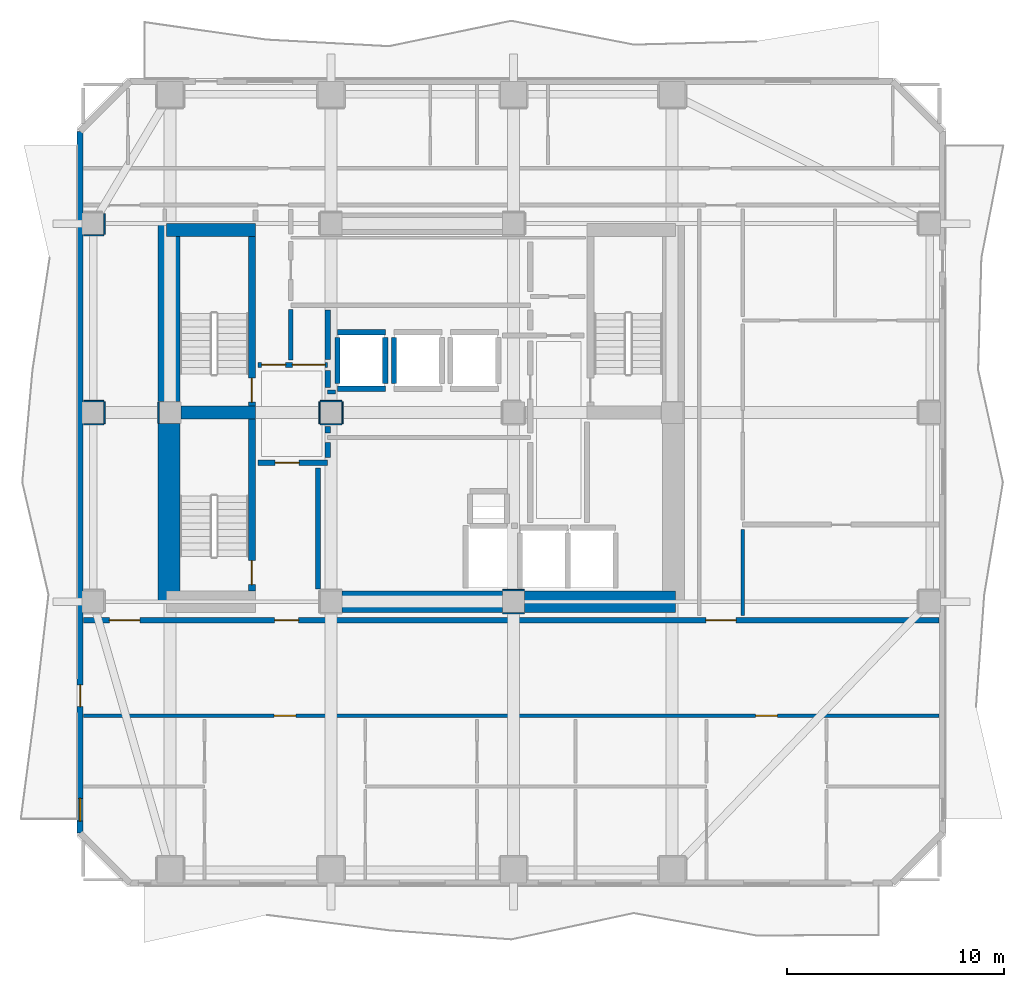
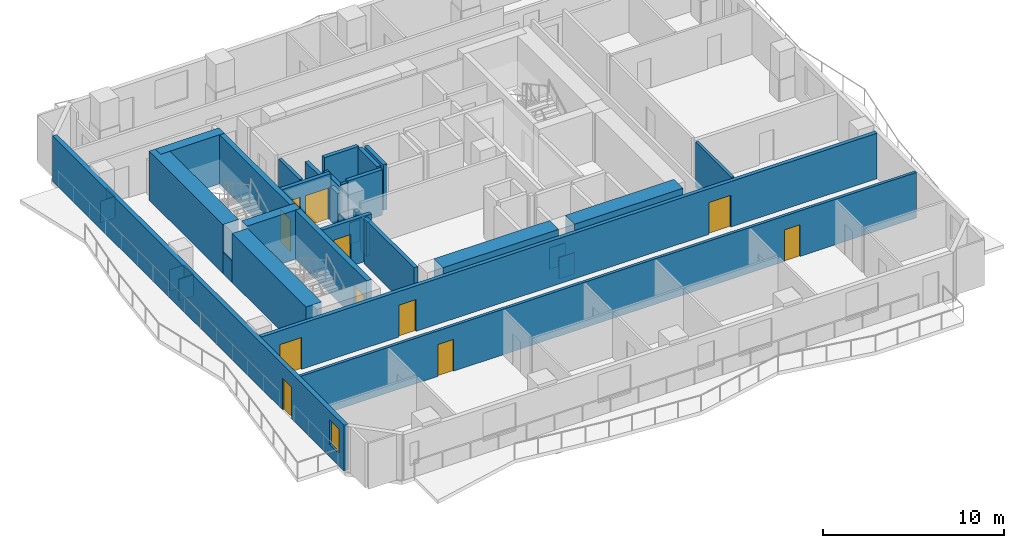
# One storey, part 3 of 9: 38 walls, 11 doors, 1 window, 12 openings.
"""IFC4 building model written with IfcOpenShell, lengths in metres."""

from ifc_helpers import new_model, si_unit, direction, frame, frame_2d, origin, place, context, subcontext, project, spatial, rectangle, extrude, material, layer, layer_set, type_object, element, fill, save


model = new_model("IFC4")

# Units and contexts
model_context = context("Model", 3, precision=1e-05, world=origin(), true_north=direction((0.0, 1.0)))
body_context = subcontext(model_context, "Body", "Model", "MODEL_VIEW")
ifc_project = project(units=[si_unit("LENGTHUNIT", "METRE"), si_unit("AREAUNIT", "SQUARE_METRE"), si_unit("VOLUMEUNIT", "CUBIC_METRE"), si_unit("PLANEANGLEUNIT", "RADIAN"), si_unit("MASSUNIT", "GRAM", prefix="KILO")], contexts=[model_context])

# Site, building, storey
site_placement = place(None, origin())
site = spatial("IfcSite", under=ifc_project, at=site_placement, CompositionType="ELEMENT")
building_placement = place(site_placement, origin())
building = spatial("IfcBuilding", under=site, at=building_placement, Name="Solanera Arch Residences", CompositionType="ELEMENT")
storey_placement = place(building_placement, frame((0.0, 0.0, 132.639892578125)))
storey = spatial("IfcBuildingStorey", under=building, at=storey_placement, Name="L38", CompositionType="ELEMENT", Elevation=132.639892578125)

# Walls
ifc_material_1 = material(Name="Fire-Rated Gypsum Stud Partition", Category="gypsum")
ifc_layer_1 = layer(ifc_material_1, 0.06005859375)
ifc_layer_set_1 = layer_set([ifc_layer_1], Name="Fire-Rated Gypsum Stud Partition")
wall_type_1 = type_object("IfcWallType", Name="Column Acoustic Furring Wall 60", PredefinedType="PARTITIONING", material=ifc_layer_set_1)
for number, where, z_axis, x_axis, name in (
    (1, (28.699951171875, 21.468017578125, 0.0), (0.0, 0.0, 1.0), (1.0, 0.0, 0.0), "L38 Column Furring 2S"),
    (2, (28.699951171875, 22.531982421875, 0.0), (0.0, 0.0, 1.0), (1.0, 0.0, 0.0), "L38 Column Furring 2N"),
):
    element("IfcWall", number, at=place(storey_placement, frame(where, z_axis=z_axis, x_axis=x_axis)), inside=storey, type_object=wall_type_1, Name=name, PredefinedType="PARTITIONING", context=body_context, shape_type="SweptSolid", body=[
        extrude(rectangle(XDim=1.0, YDim=0.06005859375, at=frame_2d((0.5, 0.0))), origin(), (0.0, 0.0, 1.0), 1.4501953125),
    ])
wall_1_placement = place(storey_placement, frame((12.867919921875, 30.2099609375, 0.0), z_axis=(0.0, 0.0, 1.0), x_axis=(0.0, 1.0, 0.0)))
element("IfcWall", 3, at=wall_1_placement, inside=storey, type_object=wall_type_1, Name="L38 Column Furring 5W", PredefinedType="PARTITIONING", context=body_context, shape_type="SweptSolid", body=[
    extrude(rectangle(XDim=0.97998046875, YDim=0.06005859375, at=frame_2d((0.489990234375, 0.0))), origin(), (0.0, 0.0, 1.0), 1.4501953125),
])
for number, where, z_axis, x_axis, name in (
    (4, (20.300048828125, 30.16796875, 0.0), (0.0, 0.0, 1.0), (1.0, 0.0, 0.0), "L38 Column Furring 7S"),
    (5, (20.300048828125, 31.23193359375, 0.0), (0.0, 0.0, 1.0), (1.0, 0.0, 0.0), "L38 Column Furring 7N"),
    (6, (20.26806640625, 30.199951171875, 0.0), (0.0, 0.0, 1.0), (0.0, 1.0, 0.0), "L38 Column Furring 7W"),
    (7, (21.33203125, 30.199951171875, 0.0), (0.0, 0.0, 1.0), (0.0, 1.0, 0.0), "L38 Column Furring 7E"),
):
    element("IfcWall", number, at=place(storey_placement, frame(where, z_axis=z_axis, x_axis=x_axis)), inside=storey, type_object=wall_type_1, Name=name, PredefinedType="PARTITIONING", context=body_context, shape_type="SweptSolid", body=[
        extrude(rectangle(XDim=1.0, YDim=0.06005859375, at=frame_2d((0.5, 0.0))), origin(), (0.0, 0.0, 1.0), 1.4501953125),
    ])
for number, where, z_axis, x_axis, name in (
    (8, (9.409912109375, 30.16796875, 0.0), (0.0, 0.0, 1.0), (1.0, 0.0, 0.0), "L38 Column Furring 19S"),
    (9, (9.409912109375, 31.23193359375, 0.0), (0.0, 0.0, 1.0), (1.0, 0.0, 0.0), "L38 Column Furring 19N"),
):
    element("IfcWall", number, at=place(storey_placement, frame(where, z_axis=z_axis, x_axis=x_axis)), inside=storey, type_object=wall_type_1, Name=name, PredefinedType="PARTITIONING", context=body_context, shape_type="SweptSolid", body=[
        extrude(rectangle(XDim=0.940185546875, YDim=0.06005859375, at=frame_2d((0.47021484375, 0.0))), origin(), (0.0, 0.0, 1.0), 1.4501953125),
    ])
wall_2_placement = place(storey_placement, frame((10.382080078125, 30.199951171875, 0.0), z_axis=(0.0, 0.0, 1.0), x_axis=(0.0, 1.0, 0.0)))
element("IfcWall", 10, at=wall_2_placement, inside=storey, type_object=wall_type_1, Name="L38 Column Furring 19E", PredefinedType="PARTITIONING", context=body_context, shape_type="SweptSolid", body=[
    extrude(rectangle(XDim=1.0, YDim=0.06005859375, at=frame_2d((0.5, 0.0))), origin(), (0.0, 0.0, 1.0), 1.4501953125),
])
wall_3_placement = place(storey_placement, frame((9.409912109375, 38.867919921875, 0.0), z_axis=(0.0, 0.0, 1.0), x_axis=(1.0, 0.0, 0.0)))
element("IfcWall", 11, at=wall_3_placement, inside=storey, type_object=wall_type_1, Name="L38 Column Furring 21S", PredefinedType="PARTITIONING", context=body_context, shape_type="SweptSolid", body=[
    extrude(rectangle(XDim=0.940185546875, YDim=0.06005859375, at=frame_2d((0.47021484375, 0.0))), origin(), (0.0, 0.0, 1.0), 1.4501953125),
])
wall_4_placement = place(storey_placement, frame((10.382080078125, 38.89990234375, 0.0), z_axis=(0.0, 0.0, 1.0), x_axis=(0.0, 1.0, 0.0)))
element("IfcWall", 12, at=wall_4_placement, inside=storey, type_object=wall_type_1, Name="L38 Column Furring 21E", PredefinedType="PARTITIONING", context=body_context, shape_type="SweptSolid", body=[
    extrude(rectangle(XDim=0.9560546875, YDim=0.06005859375, at=frame_2d((0.47802734375, 0.0))), origin(), (0.0, 0.0, 1.0), 1.4501953125),
])
ifc_material_2 = material(Name="Concrete C55/67 (f'c = 60 MPa)", Category="concrete")
ifc_layer_2 = layer(ifc_material_2, 1.0)
ifc_layer_set_2 = layer_set([ifc_layer_2], Name="Concrete C55/67 (f'c = 60 MPa)")
wall_type_2 = type_object("IfcWallType", Name="Core Shear Wall CW-1000", PredefinedType="SHEAR", material=ifc_layer_set_2)
wall_5_placement = place(storey_placement, frame((13.340087890625, 22.0, 0.0), z_axis=(0.0, 0.0, 1.0), x_axis=(0.0, 1.0, 0.0)))
element("IfcWall", 13, at=wall_5_placement, inside=storey, type_object=wall_type_2, Name="L38 West Core South Shear Wall", PredefinedType="SHEAR", context=body_context, shape_type="SweptSolid", body=[
    extrude(rectangle(XDim=8.195068359375, YDim=1.0, at=frame_2d((4.09765625, 0.0))), origin(), (0.0, 0.0, 1.0), 3.320068359375),
])
wall_6_placement = place(storey_placement, frame((13.340087890625, 31.205078125, 0.0), z_axis=(0.0, 0.0, 1.0), x_axis=(0.0, 1.0, 0.0)))
element("IfcWall", 14, at=wall_6_placement, inside=storey, type_object=wall_type_2, Name="L38 West Core North Shear Wall", PredefinedType="SHEAR", context=body_context, shape_type="SweptSolid", body=[
    extrude(rectangle(XDim=8.19482421875, YDim=1.0, at=frame_2d((4.097412109375, 0.0))), origin(), (0.0, 0.0, 1.0), 3.320068359375),
])
wall_7_placement = place(storey_placement, frame((29.705078125, 22.0, 0.0), z_axis=(0.0, 0.0, 1.0), x_axis=(1.0, 0.0, 0.0)))
element("IfcWall", 15, at=wall_7_placement, inside=storey, type_object=wall_type_2, Name="L38 South-East Core Shear Wall", PredefinedType="SHEAR", context=body_context, shape_type="SweptSolid", body=[
    extrude(rectangle(XDim=6.954833984375, YDim=1.0, at=frame_2d((3.4775390625, 0.0))), origin(), (0.0, 0.0, 1.0), 3.320068359375),
])
wall_8_placement = place(storey_placement, frame((21.304931640625, 22.0, 0.0), z_axis=(0.0, 0.0, 1.0), x_axis=(1.0, 0.0, 0.0)))
element("IfcWall", 16, at=wall_8_placement, inside=storey, type_object=wall_type_2, Name="L38 Central South Core Shear Wall", PredefinedType="SHEAR", context=body_context, shape_type="SweptSolid", body=[
    extrude(rectangle(XDim=7.39013671875, YDim=1.0, at=frame_2d((3.695068359375, 0.0))), origin(), (0.0, 0.0, 1.0), 3.320068359375),
])

# Wall, opening, door
ifc_material_3 = material(Name="Concrete C40/50 (f'c = 45 MPa)", Category="concrete")
ifc_layer_3 = layer(ifc_material_3, 0.320068359375)
ifc_layer_set_3 = layer_set([ifc_layer_3], Name="Concrete C40/50 (f'c = 45 MPa)")
wall_type_3 = type_object("IfcWallType", Name="Core Shear Wall CW-320", PredefinedType="SHEAR", material=ifc_layer_set_3)
wall_9_placement = place(storey_placement, frame((17.159912109375, 31.0, 0.0), z_axis=(0.0, 0.0, 1.0), x_axis=(0.0, 1.0, 0.0)))
wall_9 = element("IfcWall", 17, at=wall_9_placement, inside=storey, type_object=wall_type_3, Name="L38 Stair ST-T1 East Shear Wall", PredefinedType="SHEAR", context=body_context, shape_type="SweptSolid", body=[
    extrude(rectangle(XDim=7.800048828125, YDim=0.320068359375, at=frame_2d((3.89990234375, 0.0))), origin(), (0.0, 0.0, 1.0), 3.320068359375),
])
opening_1_placement = place(wall_9_placement, frame((0.18994140625, 0.0, 0.0)))
opening_1 = element("IfcOpeningElement", 18, at=opening_1_placement, cuts=wall_9, Name="Opening DF-01", PredefinedType="OPENING", context=body_context, shape_type="SweptSolid", body=[
    extrude(rectangle(XDim=1.10009765625, YDim=2.14990234375, at=frame_2d((0.550048828125, 1.074951171875))), frame((0.0, 0.169921875, 0.0), z_axis=(0.0, -1.0, 0.0), x_axis=(1.0, 0.0, 0.0)), (0.0, 0.0, 1.0), 0.3401),
])
ifc_material_4 = material(Name="Fire-Rated Architectural Hardwood", Category="wood")
door_type_1 = type_object("IfcDoorType", Name="Stair Exit Fire Door DF-01", OperationType="NOTDEFINED", PredefinedType="DOOR", material=ifc_material_4)
door_1_placement = place(opening_1_placement, origin())
door_1 = element("IfcDoor", 19, at=door_1_placement, inside=storey, type_object=door_type_1, Name="DR-L38-STAIR-ST-T1", OperationType="SINGLE_SWING_RIGHT", OverallHeight=2.14990234375, OverallWidth=1.10009765625, PredefinedType="DOOR", context=body_context, shape_type="SweptSolid", body=[
    extrude(rectangle(XDim=1.10009765625, YDim=2.14990234375, at=frame_2d((0.550048828125, 1.074951171875))), frame((0.0, 0.02490234375, 0.0), z_axis=(0.0, -1.0, 0.0), x_axis=(1.0, 0.0, 0.0)), (0.0, 0.0, 1.0), 0.050048828125),
])
fill(opening_1, door_1)

wall_10_placement = place(storey_placement, frame((17.159912109375, 22.5, 0.0), z_axis=(0.0, 0.0, 1.0), x_axis=(0.0, 1.0, 0.0)))
wall_10 = element("IfcWall", 20, at=wall_10_placement, inside=storey, type_object=wall_type_3, Name="L38 Stair ST-T3 East Shear Wall", PredefinedType="SHEAR", context=body_context, shape_type="SweptSolid", body=[
    extrude(rectangle(XDim=7.89990234375, YDim=0.320068359375, at=frame_2d((3.949951171875, 0.0))), origin(), (0.0, 0.0, 1.0), 3.320068359375),
])
opening_2_placement = place(wall_10_placement, frame((0.2900390625, 0.0, 0.0)))
opening_2 = element("IfcOpeningElement", 21, at=opening_2_placement, cuts=wall_10, Name="Opening DF-01", PredefinedType="OPENING", context=body_context, shape_type="SweptSolid", body=[
    extrude(rectangle(XDim=1.10009765625, YDim=2.14990234375, at=frame_2d((0.550048828125, 1.074951171875))), frame((0.0, 0.169921875, 0.0), z_axis=(0.0, -1.0, 0.0), x_axis=(1.0, 0.0, 0.0)), (0.0, 0.0, 1.0), 0.3401),
])
door_2_placement = place(opening_2_placement, origin())
door_2 = element("IfcDoor", 22, at=door_2_placement, inside=storey, type_object=door_type_1, Name="DR-L38-STAIR-ST-T3", OperationType="SINGLE_SWING_RIGHT", OverallHeight=2.14990234375, OverallWidth=1.10009765625, PredefinedType="DOOR", context=body_context, shape_type="SweptSolid", body=[
    extrude(rectangle(XDim=1.10009765625, YDim=2.14990234375, at=frame_2d((0.550048828125, 1.074951171875))), frame((0.0, 0.02490234375, 0.0), z_axis=(0.0, -1.0, 0.0), x_axis=(1.0, 0.0, 0.0)), (0.0, 0.0, 1.0), 0.050048828125),
])
fill(opening_2, door_2)

# Walls
ifc_material_5 = material(Name="Concrete C40/50 (f'c = 45 MPa)", Category="concrete")
ifc_layer_4 = layer(ifc_material_5, 0.60009765625)
ifc_layer_set_4 = layer_set([ifc_layer_4], Name="Concrete C40/50 (f'c = 45 MPa)")
wall_type_4 = type_object("IfcWallType", Name="Core Shear Wall CW-600", PredefinedType="SHEAR", material=ifc_layer_set_4)
wall_11_placement = place(storey_placement, frame((13.239990234375, 39.10009765625, 0.0), z_axis=(0.0, 0.0, 1.0), x_axis=(1.0, 0.0, 0.0)))
element("IfcWall", 23, at=wall_11_placement, inside=storey, type_object=wall_type_4, Name="L38 North-West Core Shear Wall", PredefinedType="SHEAR", context=body_context, shape_type="SweptSolid", body=[
    extrude(rectangle(XDim=4.080078125, YDim=0.60009765625, at=frame_2d((2.0400390625, 0.0))), origin(), (0.0, 0.0, 1.0), 3.320068359375),
])
wall_12_placement = place(storey_placement, frame((13.905029296875, 30.699951171875, 0.0), z_axis=(0.0, 0.0, 1.0), x_axis=(1.0, 0.0, 0.0)))
element("IfcWall", 24, at=wall_12_placement, inside=storey, type_object=wall_type_4, Name="L38 West Stair Divider Shear Wall", PredefinedType="SHEAR", context=body_context, shape_type="SweptSolid", body=[
    extrude(rectangle(XDim=3.4150390625, YDim=0.60009765625, at=frame_2d((1.70751953125, 0.0))), origin(), (0.0, 0.0, 1.0), 3.320068359375),
])

# Wall, openings, doors
ifc_material_6 = material(Name="Autoclaved Aerated Concrete Blockwork", Category="masonry")
ifc_layer_5 = layer(ifc_material_6, 0.179931640625)
ifc_layer_set_5 = layer_set([ifc_layer_5], Name="Autoclaved Aerated Concrete Blockwork")
wall_type_5 = type_object("IfcWallType", Name="Corridor Fire Partition 180", PredefinedType="PARTITIONING", material=ifc_layer_set_5)
wall_13_placement = place(storey_placement, frame((9.406982421875, 16.75, 0.0), z_axis=(0.0, 0.0, 1.0), x_axis=(1.0, 0.0, 0.0)))
wall_13 = element("IfcWall", 25, at=wall_13_placement, inside=storey, type_object=wall_type_5, Name="L38 Interior Partition H8", PredefinedType="PARTITIONING", context=body_context, shape_type="SweptSolid", body=[
    extrude(rectangle(XDim=39.385986328125, YDim=0.179931640625, at=frame_2d((19.69287109375, 0.0))), origin(), (0.0, 0.0, 1.0), 3.080078125),
])
opening_3_placement = place(wall_13_placement, frame((8.77294921875, 0.0, 0.0)))
opening_3 = element("IfcOpeningElement", 26, at=opening_3_placement, cuts=wall_13, Name="Opening DI-01", PredefinedType="OPENING", context=body_context, shape_type="SweptSolid", body=[
    extrude(rectangle(XDim=1.0, YDim=2.14990234375, at=frame_2d((0.5, 1.074951171875))), frame((0.0, 0.10009765625, 0.0), z_axis=(0.0, -1.0, 0.0), x_axis=(1.0, 0.0, 0.0)), (0.0, 0.0, 1.0), 0.1999),
])
opening_4_placement = place(wall_13_placement, frame((30.93603515625, 0.0, 0.0)))
opening_4 = element("IfcOpeningElement", 27, at=opening_4_placement, cuts=wall_13, Name="Opening DI-01", PredefinedType="OPENING", context=body_context, shape_type="SweptSolid", body=[
    extrude(rectangle(XDim=1.0, YDim=2.14990234375, at=frame_2d((0.5, 1.074951171875))), frame((0.0, 0.10009765625, 0.0), z_axis=(0.0, -1.0, 0.0), x_axis=(1.0, 0.0, 0.0)), (0.0, 0.0, 1.0), 0.1999),
])
ifc_material_7 = material(Name="Fire-Rated Architectural Hardwood", Category="wood")
door_type_2 = type_object("IfcDoorType", Name="Unit Entrance Fire Door DI-01", OperationType="NOTDEFINED", PredefinedType="DOOR", material=ifc_material_7)
door_3_placement = place(opening_3_placement, origin())
door_3 = element("IfcDoor", 28, at=door_3_placement, inside=storey, type_object=door_type_2, Name="DR-L38-IN-017", OperationType="SINGLE_SWING_RIGHT", OverallHeight=2.14990234375, OverallWidth=1.0, PredefinedType="DOOR", context=body_context, shape_type="SweptSolid", body=[
    extrude(rectangle(XDim=1.0, YDim=2.14990234375, at=frame_2d((0.5, 1.074951171875))), frame((0.0, 0.02490234375, 0.0), z_axis=(0.0, -1.0, 0.0), x_axis=(1.0, 0.0, 0.0)), (0.0, 0.0, 1.0), 0.050048828125),
])
fill(opening_3, door_3)
door_4_placement = place(opening_4_placement, origin())
door_4 = element("IfcDoor", 29, at=door_4_placement, inside=storey, type_object=door_type_2, Name="DR-L38-IN-024", OperationType="SINGLE_SWING_LEFT", OverallHeight=2.14990234375, OverallWidth=1.0, PredefinedType="DOOR", context=body_context, shape_type="SweptSolid", body=[
    extrude(rectangle(XDim=1.0, YDim=2.14990234375, at=frame_2d((0.5, 1.074951171875))), frame((0.0, 0.02490234375, 0.0), z_axis=(0.0, -1.0, 0.0), x_axis=(1.0, 0.0, 0.0)), (0.0, 0.0, 1.0), 0.050048828125),
])
fill(opening_4, door_4)

# Walls
wall_14_placement = place(storey_placement, frame((20.64990234375, 31.64990234375, 0.0), z_axis=(0.0, 0.0, 1.0), x_axis=(1.0, 0.0, 0.0)))
element("IfcWall", 30, at=wall_14_placement, inside=storey, type_object=wall_type_5, Name="L38 Interior Partition H10", PredefinedType="PARTITIONING", context=body_context, shape_type="SweptSolid", body=[
    extrude(rectangle(XDim=0.357177734375, YDim=0.179931640625, at=frame_2d((0.1787109375, 0.0))), origin(), (0.0, 0.0, 1.0), 3.080078125),
])
wall_15_placement = place(storey_placement, frame((39.75, 21.367919921875, 0.0), z_axis=(0.0, 0.0, 1.0), x_axis=(0.0, 1.0, 0.0)))
element("IfcWall", 31, at=wall_15_placement, inside=storey, type_object=wall_type_5, Name="L38 Interior Partition V11 1", PredefinedType="PARTITIONING", context=body_context, shape_type="SweptSolid", body=[
    extrude(rectangle(XDim=3.964111328125, YDim=0.179931640625, at=frame_2d((1.98193359375, 0.0))), origin(), (0.0, 0.0, 1.0), 3.080078125),
])

# Wall, openings, door, window
ifc_material_8 = material(Name="Precast Concrete C35/45", Category="concrete")
ifc_layer_6 = layer(ifc_material_8, 0.280029296875)
ifc_layer_set_6 = layer_set([ifc_layer_6], Name="Precast Concrete C35/45")
wall_type_6 = type_object("IfcWallType", Name="Exterior Wall Precast Masonry-Frame 280", PredefinedType="STANDARD", material=ifc_layer_set_6)
wall_16_placement = place(storey_placement, frame((9.2548828125, 11.35498046875, 0.0), z_axis=(0.0, 0.0, 1.0), x_axis=(0.0, 1.0, 0.0)))
wall_16 = element("IfcWall", 32, at=wall_16_placement, inside=storey, type_object=wall_type_6, Name="L38 Tower Exterior Precast Masonry-Frame Wall W", PredefinedType="STANDARD", context=body_context, shape_type="SweptSolid", body=[
    extrude(rectangle(XDim=32.2900390625, YDim=0.280029296875, at=frame_2d((16.14501953125, 0.0))), origin(), (0.0, 0.0, 1.0), 3.080078125),
])
opening_5_placement = place(wall_16_placement, frame((5.818115234375, 0.0, 0.0)))
opening_5 = element("IfcOpeningElement", 33, at=opening_5_placement, cuts=wall_16, Name="Opening DB-01", PredefinedType="OPENING", context=body_context, shape_type="SweptSolid", body=[
    extrude(rectangle(XDim=1.0, YDim=2.14990234375, at=frame_2d((0.5, 1.074951171875))), frame((0.0, 0.14990234375, 0.0), z_axis=(0.0, -1.0, 0.0), x_axis=(1.0, 0.0, 0.0)), (0.0, 0.0, 1.0), 0.3),
])
opening_6_placement = place(wall_16_placement, frame((0.5439453125, 0.0, 0.85009765625)))
opening_6 = element("IfcOpeningElement", 34, at=opening_6_placement, cuts=wall_16, Name="Opening W-07", PredefinedType="OPENING", context=body_context, shape_type="SweptSolid", body=[
    extrude(rectangle(XDim=1.050048828125, YDim=1.64990234375, at=frame_2d((0.52490234375, 0.824951171875))), frame((0.0, 0.14990234375, 0.0), z_axis=(0.0, -1.0, 0.0), x_axis=(1.0, 0.0, 0.0)), (0.0, 0.0, 1.0), 0.3),
])
ifc_material_9 = material(Name="Anodised Aluminium Alloy 6063-T6", Category="aluminium")
door_type_3 = type_object("IfcDoorType", Name="Glazed Balcony Swing Door DB-01", OperationType="NOTDEFINED", PredefinedType="DOOR", material=ifc_material_9)
door_5_placement = place(opening_5_placement, origin())
door_5 = element("IfcDoor", 35, at=door_5_placement, inside=storey, type_object=door_type_3, Name="DR-L38-OUT-04", OperationType="SINGLE_SWING_LEFT", OverallHeight=2.14990234375, OverallWidth=1.0, PredefinedType="DOOR", context=body_context, shape_type="SweptSolid", body=[
    extrude(rectangle(XDim=1.0, YDim=2.14990234375, at=frame_2d((0.5, 1.074951171875))), frame((0.0, 0.02490234375, 0.0), z_axis=(0.0, -1.0, 0.0), x_axis=(1.0, 0.0, 0.0)), (0.0, 0.0, 1.0), 0.050048828125),
])
fill(opening_5, door_5)
ifc_material_10 = material(Name="Double Glazed Low-E Laminated Glass", Category="glass")
window_type = type_object("IfcWindowType", Name="Punched Window W-07", PartitioningType="SINGLE_PANEL", PredefinedType="WINDOW", material=ifc_material_10)
window_placement = place(opening_6_placement, origin())
window = element("IfcWindow", 36, at=window_placement, inside=storey, type_object=window_type, Name="L38 3801-BR1 Punched Window", OverallHeight=1.64990234375, OverallWidth=1.050048828125, PartitioningType="SINGLE_PANEL", PredefinedType="WINDOW", context=body_context, shape_type="SweptSolid", body=[
    extrude(rectangle(XDim=1.050048828125, YDim=1.64990234375, at=frame_2d((0.52490234375, 0.824951171875))), frame((0.0, 0.030029296875, 0.0), z_axis=(0.0, -1.0, 0.0), x_axis=(1.0, 0.0, 0.0)), (0.0, 0.0, 1.0), 0.06005859375),
])
fill(opening_6, window)

# Walls
ifc_material_11 = material(Name="Autoclaved Aerated Concrete Blockwork", Category="masonry")
ifc_layer_7 = layer(ifc_material_11, 0.199951171875)
ifc_layer_set_7 = layer_set([ifc_layer_7], Name="Autoclaved Aerated Concrete Blockwork")
wall_type_7 = type_object("IfcWallType", Name="Party Wall Acoustic 200", PredefinedType="PARTITIONING", material=ifc_layer_set_7)
wall_17_placement = place(storey_placement, frame((18.949951171875, 33.1279296875, 0.0), z_axis=(0.0, 0.0, 1.0), x_axis=(0.0, 1.0, 0.0)))
element("IfcWall", 37, at=wall_17_placement, inside=storey, type_object=wall_type_7, Name="L38 Interior Partition V6 1", PredefinedType="PARTITIONING", context=body_context, shape_type="SweptSolid", body=[
    extrude(rectangle(XDim=2.31396484375, YDim=0.199951171875, at=frame_2d((1.156982421875, 0.0))), origin(), (0.0, 0.0, 1.0), 3.080078125),
])
ifc_material_12 = material(Name="Autoclaved Aerated Concrete Blockwork", Category="masonry")
ifc_layer_8 = layer(ifc_material_12, 0.239990234375)
ifc_layer_set_8 = layer_set([ifc_layer_8], Name="Autoclaved Aerated Concrete Blockwork")
wall_type_8 = type_object("IfcWallType", Name="Shaft Wall Fire-Rated 240", PredefinedType="PARTITIONING", material=ifc_layer_set_8)
for number, where, z_axis, x_axis, name in (
    (38, (21.10009765625, 31.800048828125, 0.0), (0.0, 0.0, 1.0), (1.0, 0.0, 0.0), "L38 Lift PL-M1 Hoistway Wall S"),
    (39, (21.10009765625, 34.39990234375, 0.0), (0.0, 0.0, 1.0), (1.0, 0.0, 0.0), "L38 Lift PL-M1 Hoistway Wall N"),
):
    element("IfcWall", number, at=place(storey_placement, frame(where, z_axis=z_axis, x_axis=x_axis)), inside=storey, type_object=wall_type_8, Name=name, PredefinedType="PARTITIONING", context=body_context, shape_type="SweptSolid", body=[
        extrude(rectangle(XDim=2.199951171875, YDim=0.239990234375, at=frame_2d((1.10009765625, 0.0))), origin(), (0.0, 0.0, 1.0), 3.080078125),
    ])
wall_18_placement = place(storey_placement, frame((21.10009765625, 32.048095703125, 0.0), z_axis=(0.0, 0.0, 1.0), x_axis=(0.0, 1.0, 0.0)))
element("IfcWall", 40, at=wall_18_placement, inside=storey, type_object=wall_type_8, Name="L38 Lift PL-M1 Hoistway Wall W", PredefinedType="PARTITIONING", context=body_context, shape_type="SweptSolid", body=[
    extrude(rectangle(XDim=2.10400390625, YDim=0.239990234375, at=frame_2d((1.052001953125, 0.0))), origin(), (0.0, 0.0, 1.0), 2.315185546875),
])
for number, where, z_axis, x_axis, name in (
    (41, (23.300048828125, 32.048095703125, 0.0), (0.0, 0.0, 1.0), (0.0, 1.0, 0.0), "L38 Lift PL-M1 Hoistway Wall E"),
    (42, (23.699951171875, 32.048095703125, 0.0), (0.0, 0.0, 1.0), (0.0, 1.0, 0.0), "L38 Lift PL-M2 Hoistway Wall W"),
):
    element("IfcWall", number, at=place(storey_placement, frame(where, z_axis=z_axis, x_axis=x_axis)), inside=storey, type_object=wall_type_8, Name=name, PredefinedType="PARTITIONING", context=body_context, shape_type="SweptSolid", body=[
        extrude(rectangle(XDim=2.10400390625, YDim=0.239990234375, at=frame_2d((1.052001953125, 0.0))), origin(), (0.0, 0.0, 1.0), 3.080078125),
    ])

# Wall, openings, doors
wall_19_placement = place(storey_placement, frame((9.406982421875, 21.14990234375, 0.0), z_axis=(0.0, 0.0, 1.0), x_axis=(1.0, 0.0, 0.0)))
wall_19 = element("IfcWall", 43, at=wall_19_placement, inside=storey, type_object=wall_type_8, Name="L38 Interior Partition H1", PredefinedType="PARTITIONING", context=body_context, shape_type="SweptSolid", body=[
    extrude(rectangle(XDim=39.385986328125, YDim=0.239990234375, at=frame_2d((19.69287109375, 0.0))), origin(), (0.0, 0.0, 1.0), 3.080078125),
])
opening_7_placement = place(wall_19_placement, frame((8.802978515625, 0.0, 0.0)))
opening_7 = element("IfcOpeningElement", 44, at=opening_7_placement, cuts=wall_19, Name="Opening DF-02", PredefinedType="OPENING", context=body_context, shape_type="SweptSolid", body=[
    extrude(rectangle(XDim=1.10009765625, YDim=2.14990234375, at=frame_2d((0.550048828125, 1.074951171875))), frame((0.0, 0.1298828125, 0.0), z_axis=(0.0, -1.0, 0.0), x_axis=(1.0, 0.0, 0.0)), (0.0, 0.0, 1.0), 0.26),
])
opening_8_placement = place(wall_19_placement, frame((1.19189453125, 0.0, 0.0)))
opening_8 = element("IfcOpeningElement", 45, at=opening_8_placement, cuts=wall_19, Name="Opening DF-03", PredefinedType="OPENING", context=body_context, shape_type="SweptSolid", body=[
    extrude(rectangle(XDim=1.39990234375, YDim=2.14990234375, at=frame_2d((0.699951171875, 1.074951171875))), frame((0.0, 0.1298828125, 0.0), z_axis=(0.0, -1.0, 0.0), x_axis=(1.0, 0.0, 0.0)), (0.0, 0.0, 1.0), 0.26),
])
opening_9_placement = place(wall_19_placement, frame((28.64306640625, 0.0, 0.0)))
opening_9 = element("IfcOpeningElement", 46, at=opening_9_placement, cuts=wall_19, Name="Opening DF-03", PredefinedType="OPENING", context=body_context, shape_type="SweptSolid", body=[
    extrude(rectangle(XDim=1.39990234375, YDim=2.14990234375, at=frame_2d((0.699951171875, 1.074951171875))), frame((0.0, 0.1298828125, 0.0), z_axis=(0.0, -1.0, 0.0), x_axis=(1.0, 0.0, 0.0)), (0.0, 0.0, 1.0), 0.26),
])
ifc_material_13 = material(Name="Fire-Rated Architectural Hardwood", Category="wood")
door_type_4 = type_object("IfcDoorType", Name="Corridor Smoke Door DF-03", OperationType="NOTDEFINED", PredefinedType="DOOR", material=ifc_material_13)
door_6_placement = place(opening_8_placement, origin())
door_6 = element("IfcDoor", 47, at=door_6_placement, inside=storey, type_object=door_type_4, Name="DR-L38-IN-010", OperationType="SINGLE_SWING_LEFT", OverallHeight=2.14990234375, OverallWidth=1.39990234375, PredefinedType="DOOR", context=body_context, shape_type="SweptSolid", body=[
    extrude(rectangle(XDim=1.39990234375, YDim=2.14990234375, at=frame_2d((0.699951171875, 1.074951171875))), frame((0.0, 0.02490234375, 0.0), z_axis=(0.0, -1.0, 0.0), x_axis=(1.0, 0.0, 0.0)), (0.0, 0.0, 1.0), 0.050048828125),
])
fill(opening_8, door_6)
door_7_placement = place(opening_9_placement, origin())
door_7 = element("IfcDoor", 48, at=door_7_placement, inside=storey, type_object=door_type_4, Name="DR-L38-IN-011", OperationType="SINGLE_SWING_RIGHT", OverallHeight=2.14990234375, OverallWidth=1.39990234375, PredefinedType="DOOR", context=body_context, shape_type="SweptSolid", body=[
    extrude(rectangle(XDim=1.39990234375, YDim=2.14990234375, at=frame_2d((0.699951171875, 1.074951171875))), frame((0.0, 0.02490234375, 0.0), z_axis=(0.0, -1.0, 0.0), x_axis=(1.0, 0.0, 0.0)), (0.0, 0.0, 1.0), 0.050048828125),
])
fill(opening_9, door_7)
ifc_material_14 = material(Name="Fire-Rated Architectural Hardwood", Category="wood")
door_type_5 = type_object("IfcDoorType", Name="Firefighting Lobby Fire Door DF-02", OperationType="NOTDEFINED", PredefinedType="DOOR", material=ifc_material_14)
door_8_placement = place(opening_7_placement, origin())
door_8 = element("IfcDoor", 49, at=door_8_placement, inside=storey, type_object=door_type_5, Name="DR-L38-IN-008", OperationType="SINGLE_SWING_LEFT", OverallHeight=2.14990234375, OverallWidth=1.10009765625, PredefinedType="DOOR", context=body_context, shape_type="SweptSolid", body=[
    extrude(rectangle(XDim=1.10009765625, YDim=2.14990234375, at=frame_2d((0.550048828125, 1.074951171875))), frame((0.0, 0.02490234375, 0.0), z_axis=(0.0, -1.0, 0.0), x_axis=(1.0, 0.0, 0.0)), (0.0, 0.0, 1.0), 0.050048828125),
])
fill(opening_7, door_8)

# Wall, opening, door
wall_20_placement = place(storey_placement, frame((17.449951171875, 28.39990234375, 0.0), z_axis=(0.0, 0.0, 1.0), x_axis=(1.0, 0.0, 0.0)))
wall_20 = element("IfcWall", 50, at=wall_20_placement, inside=storey, type_object=wall_type_8, Name="L38 Interior Partition H4", PredefinedType="PARTITIONING", context=body_context, shape_type="SweptSolid", body=[
    extrude(rectangle(XDim=3.199951171875, YDim=0.239990234375, at=frame_2d((1.60009765625, 0.0))), origin(), (0.0, 0.0, 1.0), 3.080078125),
])
opening_10_placement = place(wall_20_placement, frame((0.783935546875, 0.0, 0.0)))
opening_10 = element("IfcOpeningElement", 51, at=opening_10_placement, cuts=wall_20, Name="Opening DF-02", PredefinedType="OPENING", context=body_context, shape_type="SweptSolid", body=[
    extrude(rectangle(XDim=1.10009765625, YDim=2.14990234375, at=frame_2d((0.550048828125, 1.074951171875))), frame((0.0, 0.1298828125, 0.0), z_axis=(0.0, -1.0, 0.0), x_axis=(1.0, 0.0, 0.0)), (0.0, 0.0, 1.0), 0.26),
])
door_9_placement = place(opening_10_placement, origin())
door_9 = element("IfcDoor", 52, at=door_9_placement, inside=storey, type_object=door_type_5, Name="DR-L38-IN-004", OperationType="SINGLE_SWING_LEFT", OverallHeight=2.14990234375, OverallWidth=1.10009765625, PredefinedType="DOOR", context=body_context, shape_type="SweptSolid", body=[
    extrude(rectangle(XDim=1.10009765625, YDim=2.14990234375, at=frame_2d((0.550048828125, 1.074951171875))), frame((0.0, 0.02490234375, 0.0), z_axis=(0.0, -1.0, 0.0), x_axis=(1.0, 0.0, 0.0)), (0.0, 0.0, 1.0), 0.050048828125),
])
fill(opening_10, door_9)

# Wall, openings, doors
wall_21_placement = place(storey_placement, frame((17.449951171875, 32.89990234375, 0.0), z_axis=(0.0, 0.0, 1.0), x_axis=(1.0, 0.0, 0.0)))
wall_21 = element("IfcWall", 53, at=wall_21_placement, inside=storey, type_object=wall_type_8, Name="L38 Interior Partition H5", PredefinedType="PARTITIONING", context=body_context, shape_type="SweptSolid", body=[
    extrude(rectangle(XDim=3.199951171875, YDim=0.239990234375, at=frame_2d((1.60009765625, 0.0))), origin(), (0.0, 0.0, 1.0), 3.080078125),
])
opening_11_placement = place(wall_21_placement, frame((0.158935546875, 0.0, 0.0)))
opening_11 = element("IfcOpeningElement", 54, at=opening_11_placement, cuts=wall_21, Name="Opening DF-02", PredefinedType="OPENING", context=body_context, shape_type="SweptSolid", body=[
    extrude(rectangle(XDim=1.10009765625, YDim=2.14990234375, at=frame_2d((0.550048828125, 1.074951171875))), frame((0.0, 0.1298828125, 0.0), z_axis=(0.0, -1.0, 0.0), x_axis=(1.0, 0.0, 0.0)), (0.0, 0.0, 1.0), 0.26),
])
opening_12_placement = place(wall_21_placement, frame((1.575927734375, 0.0, 0.0)))
opening_12 = element("IfcOpeningElement", 55, at=opening_12_placement, cuts=wall_21, Name="Opening DP-01", PredefinedType="OPENING", context=body_context, shape_type="SweptSolid", body=[
    extrude(rectangle(XDim=1.5, YDim=2.14990234375, at=frame_2d((0.75, 1.074951171875))), frame((0.0, 0.1298828125, 0.0), z_axis=(0.0, -1.0, 0.0), x_axis=(1.0, 0.0, 0.0)), (0.0, 0.0, 1.0), 0.26),
])
door_10_placement = place(opening_11_placement, origin())
door_10 = element("IfcDoor", 56, at=door_10_placement, inside=storey, type_object=door_type_5, Name="DR-L38-IN-005", OperationType="SINGLE_SWING_RIGHT", OverallHeight=2.14990234375, OverallWidth=1.10009765625, PredefinedType="DOOR", context=body_context, shape_type="SweptSolid", body=[
    extrude(rectangle(XDim=1.10009765625, YDim=2.14990234375, at=frame_2d((0.550048828125, 1.074951171875))), frame((0.0, 0.02490234375, 0.0), z_axis=(0.0, -1.0, 0.0), x_axis=(1.0, 0.0, 0.0)), (0.0, 0.0, 1.0), 0.050048828125),
])
fill(opening_11, door_10)
ifc_material_15 = material(Name="Fire-Rated Architectural Hardwood", Category="wood")
door_type_6 = type_object("IfcDoorType", Name="Plant Double Fire Door DP-01", OperationType="NOTDEFINED", PredefinedType="DOOR", material=ifc_material_15)
door_11_placement = place(opening_12_placement, origin())
door_11 = element("IfcDoor", 57, at=door_11_placement, inside=storey, type_object=door_type_6, Name="DR-L38-IN-014", OperationType="SINGLE_SWING_LEFT", OverallHeight=2.14990234375, OverallWidth=1.5, PredefinedType="DOOR", context=body_context, shape_type="SweptSolid", body=[
    extrude(rectangle(XDim=1.5, YDim=2.14990234375, at=frame_2d((0.75, 1.074951171875))), frame((0.0, 0.02490234375, 0.0), z_axis=(0.0, -1.0, 0.0), x_axis=(1.0, 0.0, 0.0)), (0.0, 0.0, 1.0), 0.050048828125),
])
fill(opening_12, door_11)

# Walls
wall_22_placement = place(storey_placement, frame((20.199951171875, 22.5859375, 0.0), z_axis=(0.0, 0.0, 1.0), x_axis=(0.0, 1.0, 0.0)))
element("IfcWall", 58, at=wall_22_placement, inside=storey, type_object=wall_type_8, Name="L38 Interior Partition V2", PredefinedType="PARTITIONING", context=body_context, shape_type="SweptSolid", body=[
    extrude(rectangle(XDim=5.566162109375, YDim=0.239990234375, at=frame_2d((2.783203125, 0.0))), origin(), (0.0, 0.0, 1.0), 3.080078125),
])
wall_23_placement = place(storey_placement, frame((20.64990234375, 28.64794921875, 0.0), z_axis=(0.0, 0.0, 1.0), x_axis=(0.0, 1.0, 0.0)))
element("IfcWall", 59, at=wall_23_placement, inside=storey, type_object=wall_type_8, Name="L38 Interior Partition V3 1", PredefinedType="PARTITIONING", context=body_context, shape_type="SweptSolid", body=[
    extrude(rectangle(XDim=0.68408203125, YDim=0.239990234375, at=frame_2d((0.342041015625, 0.0))), origin(), (0.0, 0.0, 1.0), 2.315185546875),
])
wall_24_placement = place(storey_placement, frame((20.64990234375, 29.76806640625, 0.0), z_axis=(0.0, 0.0, 1.0), x_axis=(0.0, 1.0, 0.0)))
element("IfcWall", 60, at=wall_24_placement, inside=storey, type_object=wall_type_8, Name="L38 Interior Partition V3 2", PredefinedType="PARTITIONING", context=body_context, shape_type="SweptSolid", body=[
    extrude(rectangle(XDim=0.300048828125, YDim=0.239990234375, at=frame_2d((0.14990234375, 0.0))), origin(), (0.0, 0.0, 1.0), 2.315185546875),
])
wall_25_placement = place(storey_placement, frame((20.64990234375, 31.867919921875, 0.0), z_axis=(0.0, 0.0, 1.0), x_axis=(0.0, 1.0, 0.0)))
element("IfcWall", 61, at=wall_25_placement, inside=storey, type_object=wall_type_8, Name="L38 Interior Partition V3 3", PredefinedType="PARTITIONING", context=body_context, shape_type="SweptSolid", body=[
    extrude(rectangle(XDim=0.7841796875, YDim=0.239990234375, at=frame_2d((0.39208984375, 0.0))), origin(), (0.0, 0.0, 1.0), 2.315185546875),
])
wall_26_placement = place(storey_placement, frame((20.64990234375, 33.14794921875, 0.0), z_axis=(0.0, 0.0, 1.0), x_axis=(0.0, 1.0, 0.0)))
element("IfcWall", 62, at=wall_26_placement, inside=storey, type_object=wall_type_8, Name="L38 Interior Partition V3 4", PredefinedType="PARTITIONING", context=body_context, shape_type="SweptSolid", body=[
    extrude(rectangle(XDim=2.274169921875, YDim=0.239990234375, at=frame_2d((1.13720703125, 0.0))), origin(), (0.0, 0.0, 1.0), 2.315185546875),
])

save(model, "model.ifc")
